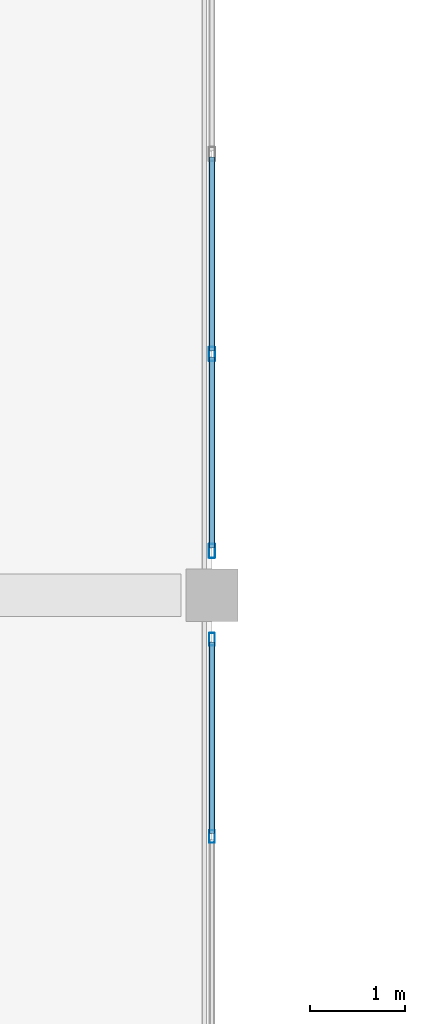
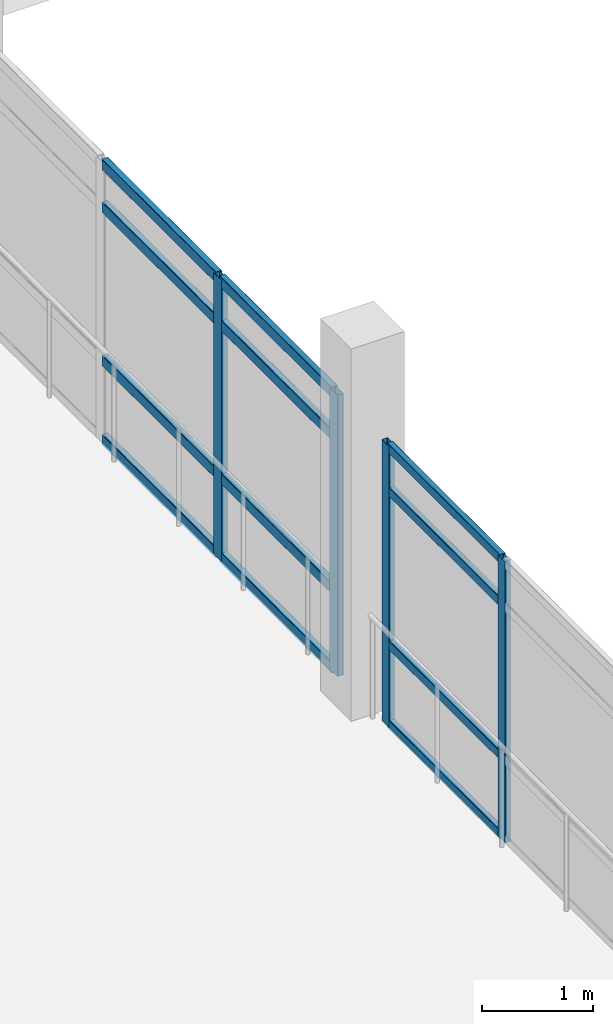
# One storey, part 15 of 50: 16 members, 2 elements without a shape of their own.
"""IFC4 building model written with IfcOpenShell, lengths in metres."""

from ifc_helpers import new_model, si_unit, direction, frame, origin, origin_2d, place, context, subcontext, project, spatial, hollow_rectangle, extrude, material, layer, layer_set, material_profile, profile_set, type_object, element, aggregate, save


model = new_model("IFC4")

# Units and contexts
model_context = context("Model", 3, precision=1e-05, world=origin(), true_north=direction((0.0, 1.0)))
body_context = subcontext(model_context, "Body", "Model", "MODEL_VIEW")
ifc_project = project(units=[si_unit("LENGTHUNIT", "METRE"), si_unit("AREAUNIT", "SQUARE_METRE"), si_unit("VOLUMEUNIT", "CUBIC_METRE"), si_unit("PLANEANGLEUNIT", "RADIAN"), si_unit("MASSUNIT", "GRAM", prefix="KILO")], contexts=[model_context])

# Site, building, storey
site_placement = place(None, origin())
site = spatial("IfcSite", under=ifc_project, at=site_placement, CompositionType="ELEMENT")
building_placement = place(site_placement, origin())
building = spatial("IfcBuilding", under=site, at=building_placement, Name="Asteropetra Specialist Clinic", CompositionType="ELEMENT")
storey_placement = place(building_placement, frame((0.0, 0.0, 16.659912109375)))
storey = spatial("IfcBuildingStorey", under=building, at=storey_placement, Name="L04", CompositionType="ELEMENT", Elevation=16.659912109375)

# Curtain wall, members
ifc_material_1 = material(Name="Aluminium and low-E glass", Category="aluminium")
ifc_layer_1 = layer(ifc_material_1, 0.179931640625)
ifc_layer_set_1 = layer_set([ifc_layer_1], Name="Aluminium and low-E glass")
curtain_wall_type_1 = type_object("IfcCurtainWallType", Name="CW-SYS-04", PredefinedType="USERDEFINED", material=ifc_layer_set_1)
curtain_wall_1_placement = place(storey_placement, origin())
curtain_wall_1 = element("IfcCurtainWall", 1, at=curtain_wall_1_placement, inside=storey, type_object=curtain_wall_type_1, Name="Curtain Wall CW-053", ObjectType="UNITISED CURTAIN WALL", PredefinedType="USERDEFINED")
ifc_material_2 = material(Name="Aluminium 6063-T6", Category="aluminium")
ifc_material_profile_1 = material_profile(ifc_material_2, hollow_rectangle(XDim=0.06005859375, YDim=0.135009765625, WallThickness=0.00341796875, InnerFilletRadius=0.00341796875, OuterFilletRadius=0.007080078125, at=origin_2d()), Name="MUL 135x60x3.5")
ifc_profile_set_1 = profile_set([ifc_material_profile_1], Name="Aluminium 6063-T6")
member_type_1 = type_object("IfcMemberType", Name="CWM-135x60", PredefinedType="MULLION", material=ifc_profile_set_1)
member_1_placement = place(storey_placement, frame((9.60009765625, 83.534912109375, 0.0), z_axis=(0.0, 0.0, 1.0), x_axis=(1.0, 0.0, 0.0)))
member_1 = element("IfcMember", 2, at=member_1_placement, type_object=member_type_1, Name="CW-053 mullion 1", PredefinedType="MULLION", context=body_context, shape_type="SweptSolid", body=[
    extrude(hollow_rectangle(XDim=0.06005859375, YDim=0.135009765625, WallThickness=0.00341796875, InnerFilletRadius=0.00341796875, OuterFilletRadius=0.007080078125, at=origin_2d()), origin(), (0.0, 0.0, 1.0), 3.080078125),
])
member_2_placement = place(storey_placement, frame((9.60009765625, 81.455078125, 0.0), z_axis=(0.0, 0.0, 1.0), x_axis=(1.0, 0.0, 0.0)))
member_2 = element("IfcMember", 3, at=member_2_placement, type_object=member_type_1, Name="CW-053 mullion 2", PredefinedType="MULLION", context=body_context, shape_type="SweptSolid", body=[
    extrude(hollow_rectangle(XDim=0.06005859375, YDim=0.135009765625, WallThickness=0.00341796875, InnerFilletRadius=0.00341796875, OuterFilletRadius=0.007080078125, at=origin_2d()), origin(), (0.0, 0.0, 1.0), 3.080078125),
])

ifc_material_3 = material(Name="Aluminium and low-E glass", Category="aluminium")
ifc_layer_2 = layer(ifc_material_3, 0.14990234375)
ifc_layer_set_2 = layer_set([ifc_layer_2], Name="Aluminium and low-E glass")
curtain_wall_type_2 = type_object("IfcCurtainWallType", Name="CW-SYS-05", PredefinedType="USERDEFINED", material=ifc_layer_set_2)
curtain_wall_2_placement = place(storey_placement, origin())
curtain_wall_2 = element("IfcCurtainWall", 4, at=curtain_wall_2_placement, inside=storey, type_object=curtain_wall_type_2, Name="Curtain Wall CW-055", ObjectType="UNITISED CURTAIN WALL", PredefinedType="USERDEFINED")
ifc_material_4 = material(Name="Aluminium 6063-T6", Category="aluminium")
ifc_material_profile_2 = material_profile(ifc_material_4, hollow_rectangle(XDim=0.06494140625, YDim=0.14990234375, WallThickness=0.00390625, InnerFilletRadius=0.00390625, OuterFilletRadius=0.008056640625, at=origin_2d()), Name="MUL 150x65x4.0")
ifc_profile_set_2 = profile_set([ifc_material_profile_2], Name="Aluminium 6063-T6")
member_type_2 = type_object("IfcMemberType", Name="CWM-150x65", PredefinedType="MULLION", material=ifc_profile_set_2)
member_3_placement = place(storey_placement, frame((9.60009765625, 86.544921875, 0.0), z_axis=(0.0, 0.0, 1.0), x_axis=(1.0, 0.0, 0.0)))
member_3 = element("IfcMember", 5, at=member_3_placement, type_object=member_type_2, Name="CW-055 mullion 3", PredefinedType="MULLION", context=body_context, shape_type="SweptSolid", body=[
    extrude(hollow_rectangle(XDim=0.06494140625, YDim=0.14990234375, WallThickness=0.00390625, InnerFilletRadius=0.00390625, OuterFilletRadius=0.008056640625, at=origin_2d()), origin(), (0.0, 0.0, 1.0), 3.080078125),
])
member_4_placement = place(storey_placement, frame((9.60009765625, 84.467529296875, 0.0), z_axis=(0.0, 0.0, 1.0), x_axis=(1.0, 0.0, 0.0)))
member_4 = element("IfcMember", 6, at=member_4_placement, type_object=member_type_2, Name="CW-055 mullion 4", PredefinedType="MULLION", context=body_context, shape_type="SweptSolid", body=[
    extrude(hollow_rectangle(XDim=0.06494140625, YDim=0.14990234375, WallThickness=0.00390625, InnerFilletRadius=0.00390625, OuterFilletRadius=0.008056640625, at=origin_2d()), origin(), (0.0, 0.0, 1.0), 3.080078125),
])

# Member
ifc_material_5 = material(Name="Aluminium 6063-T6", Category="aluminium")
ifc_material_profile_3 = material_profile(ifc_material_5, hollow_rectangle(XDim=0.06005859375, YDim=0.10009765625, WallThickness=0.00341796875, InnerFilletRadius=0.00341796875, OuterFilletRadius=0.007080078125, at=origin_2d()), Name="TRN 100x60x3.5")
ifc_profile_set_3 = profile_set([ifc_material_profile_3], Name="Aluminium 6063-T6")
member_type_3 = type_object("IfcMemberType", Name="CWT-100x60", PredefinedType="USERDEFINED", material=ifc_profile_set_3)
member_5_placement = place(storey_placement, frame((9.60009765625, 83.5048828125, 0.030029296875), z_axis=(0.0, -1.0, 0.0), x_axis=(1.0, 0.0, 0.0)))
member_5 = element("IfcMember", 7, at=member_5_placement, type_object=member_type_3, Name="CW-053 transom 1.1", ObjectType="TRANSOM", PredefinedType="USERDEFINED", context=body_context, shape_type="SweptSolid", body=[
    extrude(hollow_rectangle(XDim=0.06005859375, YDim=0.10009765625, WallThickness=0.00341796875, InnerFilletRadius=0.00341796875, OuterFilletRadius=0.007080078125, at=origin_2d()), origin(), (0.0, 0.0, 1.0), 2.019775390625),
])

member_6_placement = place(storey_placement, frame((9.60009765625, 83.5048828125, 0.900146484375), z_axis=(0.0, -1.0, 0.0), x_axis=(1.0, 0.0, 0.0)))
member_6 = element("IfcMember", 8, at=member_6_placement, type_object=member_type_3, Name="CW-053 transom 1.2", ObjectType="TRANSOM", PredefinedType="USERDEFINED", context=body_context, shape_type="SweptSolid", body=[
    extrude(hollow_rectangle(XDim=0.06005859375, YDim=0.10009765625, WallThickness=0.00341796875, InnerFilletRadius=0.00341796875, OuterFilletRadius=0.007080078125, at=origin_2d()), origin(), (0.0, 0.0, 1.0), 2.019775390625),
])

member_7_placement = place(storey_placement, frame((9.60009765625, 83.5048828125, 2.580078125), z_axis=(0.0, -1.0, 0.0), x_axis=(1.0, 0.0, 0.0)))
member_7 = element("IfcMember", 9, at=member_7_placement, type_object=member_type_3, Name="CW-053 transom 1.3", ObjectType="TRANSOM", PredefinedType="USERDEFINED", context=body_context, shape_type="SweptSolid", body=[
    extrude(hollow_rectangle(XDim=0.06005859375, YDim=0.10009765625, WallThickness=0.00341796875, InnerFilletRadius=0.00341796875, OuterFilletRadius=0.007080078125, at=origin_2d()), origin(), (0.0, 0.0, 1.0), 2.019775390625),
])

member_8_placement = place(storey_placement, frame((9.60009765625, 83.5048828125, 3.050048828125), z_axis=(0.0, -1.0, 0.0), x_axis=(1.0, 0.0, 0.0)))
member_8 = element("IfcMember", 10, at=member_8_placement, type_object=member_type_3, Name="CW-053 transom 1.4", ObjectType="TRANSOM", PredefinedType="USERDEFINED", context=body_context, shape_type="SweptSolid", body=[
    extrude(hollow_rectangle(XDim=0.06005859375, YDim=0.10009765625, WallThickness=0.00341796875, InnerFilletRadius=0.00341796875, OuterFilletRadius=0.007080078125, at=origin_2d()), origin(), (0.0, 0.0, 1.0), 2.019775390625),
])

aggregate(curtain_wall_1, [member_1, member_2, member_5, member_6, member_7, member_8])

ifc_material_6 = material(Name="Aluminium 6063-T6", Category="aluminium")
ifc_material_profile_4 = material_profile(ifc_material_6, hollow_rectangle(XDim=0.06494140625, YDim=0.1201171875, WallThickness=0.00390625, InnerFilletRadius=0.00390625, OuterFilletRadius=0.008056640625, at=origin_2d()), Name="TRN 120x65x4.0")
ifc_profile_set_4 = profile_set([ifc_material_profile_4], Name="Aluminium 6063-T6")
member_type_4 = type_object("IfcMemberType", Name="CWT-120x65", PredefinedType="USERDEFINED", material=ifc_profile_set_4)
member_9_placement = place(storey_placement, frame((9.60009765625, 88.62255859375, 0.032470703125), z_axis=(0.0, -1.0, 0.0), x_axis=(1.0, 0.0, 0.0)))
member_9 = element("IfcMember", 11, at=member_9_placement, type_object=member_type_4, Name="CW-055 transom 2.1", ObjectType="TRANSOM", PredefinedType="USERDEFINED", context=body_context, shape_type="SweptSolid", body=[
    extrude(hollow_rectangle(XDim=0.06494140625, YDim=0.1201171875, WallThickness=0.00390625, InnerFilletRadius=0.00390625, OuterFilletRadius=0.008056640625, at=origin_2d()), origin(), (0.0, 0.0, 1.0), 2.045166015625),
])

member_10_placement = place(storey_placement, frame((9.60009765625, 88.62255859375, 0.900146484375), z_axis=(0.0, -1.0, 0.0), x_axis=(1.0, 0.0, 0.0)))
member_10 = element("IfcMember", 12, at=member_10_placement, type_object=member_type_4, Name="CW-055 transom 2.2", ObjectType="TRANSOM", PredefinedType="USERDEFINED", context=body_context, shape_type="SweptSolid", body=[
    extrude(hollow_rectangle(XDim=0.06494140625, YDim=0.1201171875, WallThickness=0.00390625, InnerFilletRadius=0.00390625, OuterFilletRadius=0.008056640625, at=origin_2d()), origin(), (0.0, 0.0, 1.0), 2.045166015625),
])

member_11_placement = place(storey_placement, frame((9.60009765625, 88.62255859375, 2.580078125), z_axis=(0.0, -1.0, 0.0), x_axis=(1.0, 0.0, 0.0)))
member_11 = element("IfcMember", 13, at=member_11_placement, type_object=member_type_4, Name="CW-055 transom 2.3", ObjectType="TRANSOM", PredefinedType="USERDEFINED", context=body_context, shape_type="SweptSolid", body=[
    extrude(hollow_rectangle(XDim=0.06494140625, YDim=0.1201171875, WallThickness=0.00390625, InnerFilletRadius=0.00390625, OuterFilletRadius=0.008056640625, at=origin_2d()), origin(), (0.0, 0.0, 1.0), 2.045166015625),
])

member_12_placement = place(storey_placement, frame((9.60009765625, 88.62255859375, 3.047607421875), z_axis=(0.0, -1.0, 0.0), x_axis=(1.0, 0.0, 0.0)))
member_12 = element("IfcMember", 14, at=member_12_placement, type_object=member_type_4, Name="CW-055 transom 2.4", ObjectType="TRANSOM", PredefinedType="USERDEFINED", context=body_context, shape_type="SweptSolid", body=[
    extrude(hollow_rectangle(XDim=0.06494140625, YDim=0.1201171875, WallThickness=0.00390625, InnerFilletRadius=0.00390625, OuterFilletRadius=0.008056640625, at=origin_2d()), origin(), (0.0, 0.0, 1.0), 2.045166015625),
])

member_13_placement = place(storey_placement, frame((9.60009765625, 86.512451171875, 0.032470703125), z_axis=(0.0, -1.0, 0.0), x_axis=(1.0, 0.0, 0.0)))
member_13 = element("IfcMember", 15, at=member_13_placement, type_object=member_type_4, Name="CW-055 transom 3.1", ObjectType="TRANSOM", PredefinedType="USERDEFINED", context=body_context, shape_type="SweptSolid", body=[
    extrude(hollow_rectangle(XDim=0.06494140625, YDim=0.1201171875, WallThickness=0.00390625, InnerFilletRadius=0.00390625, OuterFilletRadius=0.008056640625, at=origin_2d()), origin(), (0.0, 0.0, 1.0), 2.012451171875),
])

member_14_placement = place(storey_placement, frame((9.60009765625, 86.512451171875, 0.900146484375), z_axis=(0.0, -1.0, 0.0), x_axis=(1.0, 0.0, 0.0)))
member_14 = element("IfcMember", 16, at=member_14_placement, type_object=member_type_4, Name="CW-055 transom 3.2", ObjectType="TRANSOM", PredefinedType="USERDEFINED", context=body_context, shape_type="SweptSolid", body=[
    extrude(hollow_rectangle(XDim=0.06494140625, YDim=0.1201171875, WallThickness=0.00390625, InnerFilletRadius=0.00390625, OuterFilletRadius=0.008056640625, at=origin_2d()), origin(), (0.0, 0.0, 1.0), 2.012451171875),
])

member_15_placement = place(storey_placement, frame((9.60009765625, 86.512451171875, 2.580078125), z_axis=(0.0, -1.0, 0.0), x_axis=(1.0, 0.0, 0.0)))
member_15 = element("IfcMember", 17, at=member_15_placement, type_object=member_type_4, Name="CW-055 transom 3.3", ObjectType="TRANSOM", PredefinedType="USERDEFINED", context=body_context, shape_type="SweptSolid", body=[
    extrude(hollow_rectangle(XDim=0.06494140625, YDim=0.1201171875, WallThickness=0.00390625, InnerFilletRadius=0.00390625, OuterFilletRadius=0.008056640625, at=origin_2d()), origin(), (0.0, 0.0, 1.0), 2.012451171875),
])

member_16_placement = place(storey_placement, frame((9.60009765625, 86.512451171875, 3.047607421875), z_axis=(0.0, -1.0, 0.0), x_axis=(1.0, 0.0, 0.0)))
member_16 = element("IfcMember", 18, at=member_16_placement, type_object=member_type_4, Name="CW-055 transom 3.4", ObjectType="TRANSOM", PredefinedType="USERDEFINED", context=body_context, shape_type="SweptSolid", body=[
    extrude(hollow_rectangle(XDim=0.06494140625, YDim=0.1201171875, WallThickness=0.00390625, InnerFilletRadius=0.00390625, OuterFilletRadius=0.008056640625, at=origin_2d()), origin(), (0.0, 0.0, 1.0), 2.012451171875),
])

aggregate(curtain_wall_2, [member_3, member_4, member_9, member_10, member_11, member_12, member_13, member_14, member_15, member_16])

save(model, "model.ifc")
